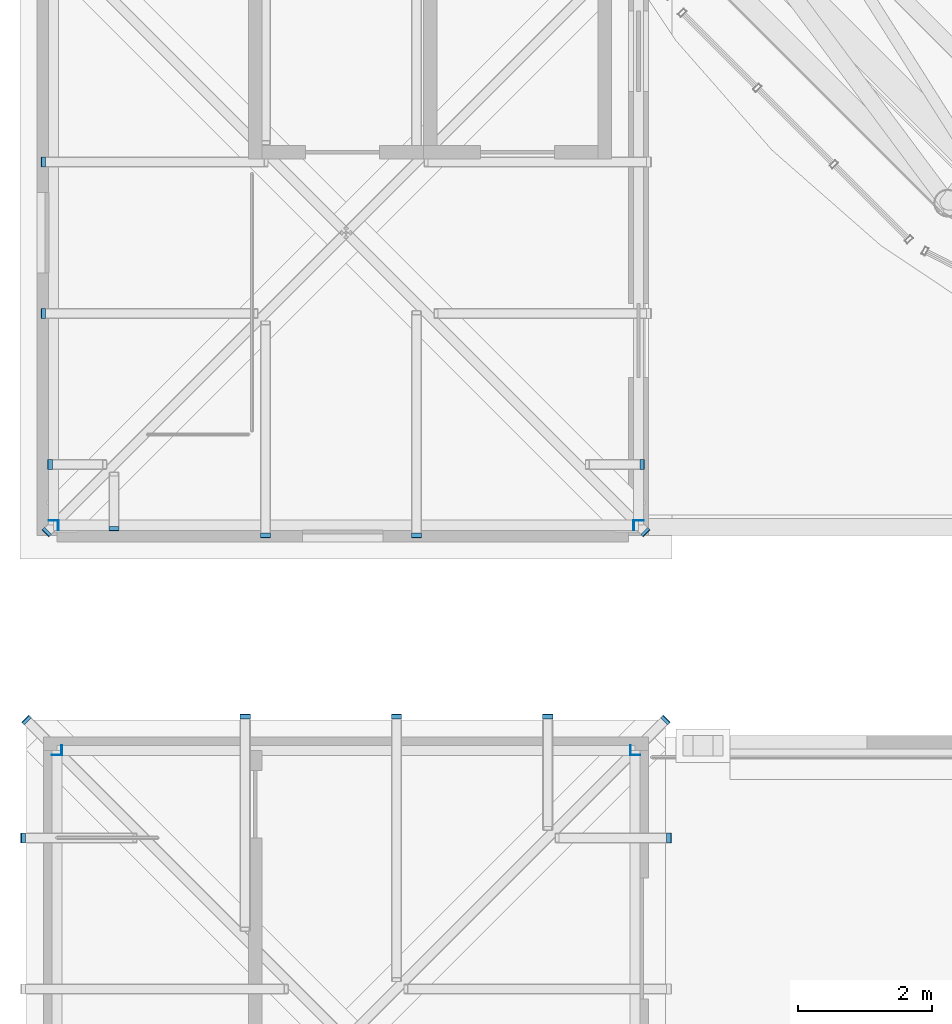
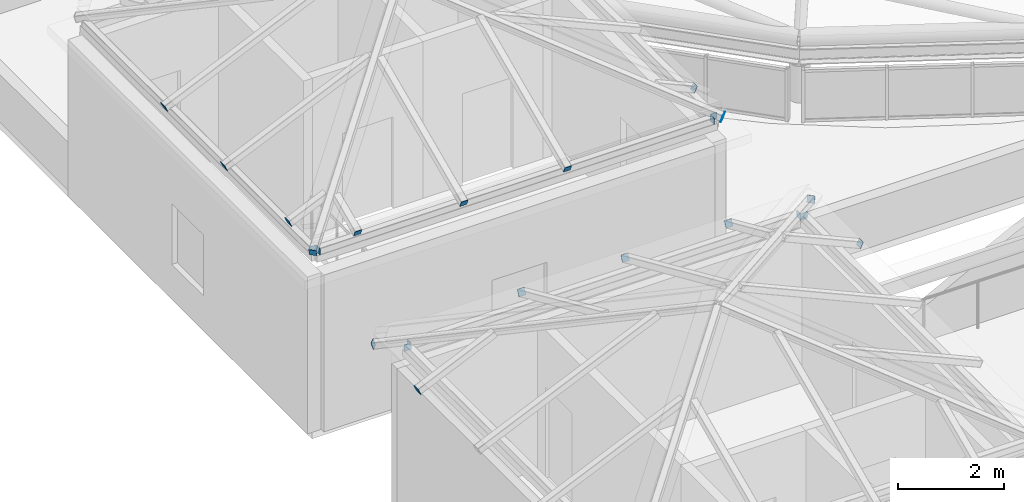
# One storey, part 58 of 69: 24 discrete accessories.
"""IFC4 building model written with IfcOpenShell, lengths in metres."""

from ifc_helpers import new_model, si_unit, direction, frame, origin, origin_2d, place, context, subcontext, project, spatial, rectangle, extrude, material, material_profile, profile_set, type_object, element, save


model = new_model("IFC4")

# Units and contexts
model_context = context("Model", 3, precision=1e-05, world=origin(), true_north=direction((0.0, 1.0)))
body_context = subcontext(model_context, "Body", "Model", "MODEL_VIEW")
ifc_project = project(units=[si_unit("LENGTHUNIT", "METRE"), si_unit("AREAUNIT", "SQUARE_METRE"), si_unit("VOLUMEUNIT", "CUBIC_METRE"), si_unit("PLANEANGLEUNIT", "RADIAN"), si_unit("MASSUNIT", "GRAM", prefix="KILO")], contexts=[model_context])

# Site, building, storey
site_placement = place(None, origin())
site = spatial("IfcSite", under=ifc_project, at=site_placement, CompositionType="ELEMENT")
building_placement = place(site_placement, origin())
building = spatial("IfcBuilding", under=site, at=building_placement, Name="Kallimachos Central Library", CompositionType="ELEMENT")
storey_placement = place(building_placement, frame((0.0, 0.0, 23.39990234375)))
storey = spatial("IfcBuildingStorey", under=building, at=storey_placement, Name="L05", CompositionType="ELEMENT", Elevation=23.39990234375)

# Discrete accessories
ifc_material = material(Name="Steel S355J2", Category="steel")
ifc_material_profile = material_profile(ifc_material, rectangle(XDim=0.14990234375, YDim=0.14990234375, at=origin_2d()), Name="End cap plate 10, 150x150")
ifc_profile_set = profile_set([ifc_material_profile], Name="Steel S355J2")
discrete_accessory_type = type_object("IfcDiscreteAccessoryType", Name="End cap plate 10, 150x150", PredefinedType="BRACKET", material=ifc_profile_set)
for number, where, z_axis, x_axis, name in (
    (1, (65.715087890625, 87.14990234375, 4.025146484375), (1.0, 0.0, 0.0), (0.0, 1.0, 0.0), "End cap plate"),
    (2, (74.27490234375, 87.14990234375, 4.025146484375), (1.0, 0.0, 0.0), (0.0, 1.0, 0.0), "End cap plate"),
    (3, (65.64990234375, 87.215087890625, 4.025146484375), (0.0, 1.0, 0.0), (-1.0, 0.0, 0.0), "End cap plate"),
    (4, (74.35009765625, 87.215087890625, 4.025146484375), (0.0, 1.0, 0.0), (-1.0, 0.0, 0.0), "End cap plate"),
):
    element("IfcDiscreteAccessory", number, at=place(storey_placement, frame(where, z_axis=z_axis, x_axis=x_axis)), inside=storey, type_object=discrete_accessory_type, Name=name, PredefinedType="BRACKET", context=body_context, shape_type="SweptSolid", body=[
        extrude(rectangle(XDim=0.14990234375, YDim=0.14990234375, at=origin_2d()), origin(), (0.0, 0.0, 1.0), 0.010009765625),
    ])
discrete_accessory_1_placement = place(storey_placement, frame((66.550048828125, 87.0908203125, 4.15576171875), z_axis=(0.0, 0.912818251895, 0.408366060058), x_axis=(-1.0, 0.0, 0.0)))
element("IfcDiscreteAccessory", 5, at=discrete_accessory_1_placement, inside=storey, type_object=discrete_accessory_type, Name="End cap plate", PredefinedType="BRACKET", context=body_context, shape_type="SweptSolid", body=[
    extrude(rectangle(XDim=0.14990234375, YDim=0.14990234375, at=origin_2d()), origin(), (0.0, 0.0, 1.0), 0.01025390625),
])
for number, where, z_axis, x_axis, name in (
    (6, (68.800048828125, 86.990966796875, 4.111328125), (0.0, 0.908676843963, 0.417500171551), (-1.0, 0.0, 0.0), "End cap plate"),
    (7, (71.050048828125, 86.990966796875, 4.111328125), (0.0, 0.908676843963, 0.417500171551), (-1.0, 0.0, 0.0), "End cap plate"),
):
    element("IfcDiscreteAccessory", number, at=place(storey_placement, frame(where, z_axis=z_axis, x_axis=x_axis)), inside=storey, type_object=discrete_accessory_type, Name=name, PredefinedType="BRACKET", context=body_context, shape_type="SweptSolid", body=[
        extrude(rectangle(XDim=0.14990234375, YDim=0.14990234375, at=origin_2d()), origin(), (0.0, 0.0, 1.0), 0.010009765625),
    ])
discrete_accessory_2_placement = place(storey_placement, frame((65.5908203125, 88.050048828125, 4.15576171875), z_axis=(0.912818251895, 0.0, 0.408366060058), x_axis=(0.0, 1.0, 0.0)))
element("IfcDiscreteAccessory", 8, at=discrete_accessory_2_placement, inside=storey, type_object=discrete_accessory_type, Name="End cap plate", PredefinedType="BRACKET", context=body_context, shape_type="SweptSolid", body=[
    extrude(rectangle(XDim=0.14990234375, YDim=0.14990234375, at=origin_2d()), origin(), (0.0, 0.0, 1.0), 0.01025390625),
])
for number, where, z_axis, x_axis, name in (
    (9, (65.490966796875, 90.300048828125, 4.111328125), (0.908676843963, 0.0, 0.417500171551), (0.0, 1.0, 0.0), "End cap plate"),
    (10, (65.490966796875, 92.550048828125, 4.111328125), (0.908676843963, 0.0, 0.417500171551), (0.0, 1.0, 0.0), "End cap plate"),
):
    element("IfcDiscreteAccessory", number, at=place(storey_placement, frame(where, z_axis=z_axis, x_axis=x_axis)), inside=storey, type_object=discrete_accessory_type, Name=name, PredefinedType="BRACKET", context=body_context, shape_type="SweptSolid", body=[
        extrude(rectangle(XDim=0.14990234375, YDim=0.14990234375, at=origin_2d()), origin(), (0.0, 0.0, 1.0), 0.010009765625),
    ])
discrete_accessory_3_placement = place(storey_placement, frame((74.4091796875, 88.050048828125, 4.15576171875), z_axis=(-0.912818251895, 0.0, 0.408366060058), x_axis=(0.0, -1.0, 0.0)))
element("IfcDiscreteAccessory", 11, at=discrete_accessory_3_placement, inside=storey, type_object=discrete_accessory_type, Name="End cap plate", PredefinedType="BRACKET", context=body_context, shape_type="SweptSolid", body=[
    extrude(rectangle(XDim=0.14990234375, YDim=0.14990234375, at=origin_2d()), origin(), (0.0, 0.0, 1.0), 0.01025390625),
])
for number, where, z_axis, x_axis, name in (
    (12, (65.543212890625, 87.043212890625, 4.08447265625), (0.676715542332, 0.676715542332, 0.290020946714), (-0.707106781187, 0.707106781187, 0.0), "End cap plate"),
    (13, (74.456787109375, 87.043212890625, 4.08447265625), (-0.676715542332, 0.676715542332, 0.290020946714), (-0.707106781187, -0.707106781187, 0.0), "End cap plate"),
    (14, (65.764892578125, 83.800048828125, 3.875), (1.0, 0.0, 0.0), (0.0, 1.0, 0.0), "End cap plate"),
    (15, (74.22509765625, 83.800048828125, 3.875), (1.0, 0.0, 0.0), (0.0, 1.0, 0.0), "End cap plate"),
    (16, (65.699951171875, 83.72509765625, 3.875), (0.0, 1.0, 0.0), (-1.0, 0.0, 0.0), "End cap plate"),
    (17, (74.300048828125, 83.72509765625, 3.875), (0.0, 1.0, 0.0), (-1.0, 0.0, 0.0), "End cap plate"),
    (18, (68.5, 84.30908203125, 3.805419921875), (0.0, -0.908676843963, 0.417500171551), (1.0, 0.0, 0.0), "End cap plate"),
    (19, (70.75, 84.30908203125, 3.805419921875), (0.0, -0.908676843963, 0.417500171551), (1.0, 0.0, 0.0), "End cap plate"),
    (20, (73.0, 84.30908203125, 3.805419921875), (0.0, -0.908676843963, 0.417500171551), (1.0, 0.0, 0.0), "End cap plate"),
    (21, (65.19091796875, 82.5, 3.805419921875), (0.908676843963, 0.0, 0.417500171551), (0.0, 1.0, 0.0), "End cap plate"),
    (22, (74.80908203125, 82.5, 3.805419921875), (-0.908676843963, 0.0, 0.417500171551), (0.0, -1.0, 0.0), "End cap plate"),
):
    element("IfcDiscreteAccessory", number, at=place(storey_placement, frame(where, z_axis=z_axis, x_axis=x_axis)), inside=storey, type_object=discrete_accessory_type, Name=name, PredefinedType="BRACKET", context=body_context, shape_type="SweptSolid", body=[
        extrude(rectangle(XDim=0.14990234375, YDim=0.14990234375, at=origin_2d()), origin(), (0.0, 0.0, 1.0), 0.010009765625),
    ])
for number, where, z_axis, x_axis, name in (
    (23, (65.2431640625, 84.2568359375, 3.778564453125), (0.671828034032, -0.671828034032, 0.311920158658), (0.707106781187, 0.707106781187, 0.0), "End cap plate"),
    (24, (74.7568359375, 84.2568359375, 3.778564453125), (-0.671828034032, -0.671828034032, 0.311920158658), (0.707106781187, -0.707106781187, 0.0), "End cap plate"),
):
    element("IfcDiscreteAccessory", number, at=place(storey_placement, frame(where, z_axis=z_axis, x_axis=x_axis)), inside=storey, type_object=discrete_accessory_type, Name=name, PredefinedType="BRACKET", context=body_context, shape_type="SweptSolid", body=[
        extrude(rectangle(XDim=0.14990234375, YDim=0.14990234375, at=origin_2d()), origin(), (0.0, 0.0, 1.0), 0.01025390625),
    ])

save(model, "model.ifc")
